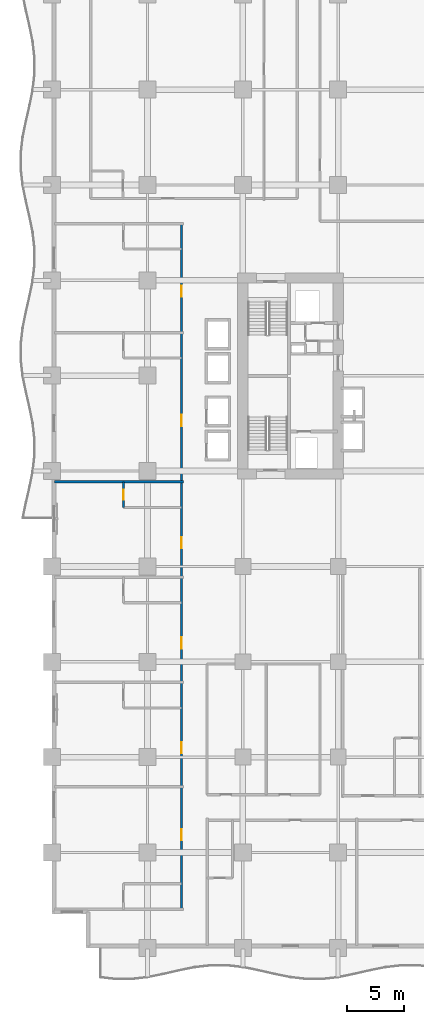
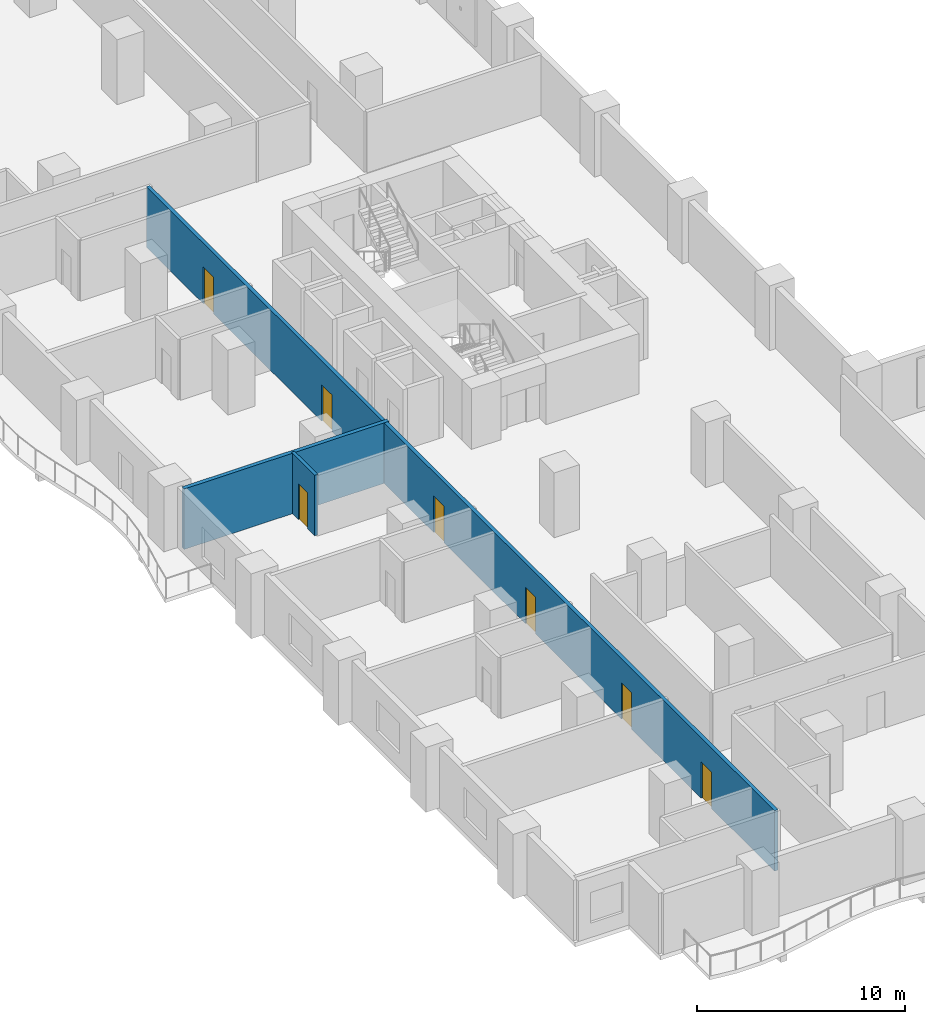
# One storey, part 8 of 22: 7 doors, 3 walls, 7 openings.
"""IFC4 building model written with IfcOpenShell, lengths in metres."""

from ifc_helpers import new_model, si_unit, direction, frame, frame_2d, origin, place, context, subcontext, project, spatial, rectangle, extrude, material, layer, layer_set, type_object, element, fill, save


model = new_model("IFC4")

# Units and contexts
model_context = context("Model", 3, precision=1e-05, world=origin(), true_north=direction((0.0, 1.0)))
body_context = subcontext(model_context, "Body", "Model", "MODEL_VIEW")
ifc_project = project(units=[si_unit("LENGTHUNIT", "METRE"), si_unit("AREAUNIT", "SQUARE_METRE"), si_unit("VOLUMEUNIT", "CUBIC_METRE"), si_unit("PLANEANGLEUNIT", "RADIAN"), si_unit("MASSUNIT", "GRAM", prefix="KILO")], contexts=[model_context])

# Site, building, storey
site_placement = place(None, origin())
site = spatial("IfcSite", under=ifc_project, at=site_placement, CompositionType="ELEMENT")
building_placement = place(site_placement, origin())
building = spatial("IfcBuilding", under=site, at=building_placement, Name="Koriwani Terraces Tower", CompositionType="ELEMENT")
storey_placement = place(building_placement, frame((0.0, 0.0, 51.0)))
storey = spatial("IfcBuildingStorey", under=building, at=storey_placement, Name="L11", CompositionType="ELEMENT", Elevation=51.0)

# Wall, openings, doors
ifc_material_1 = material(Name="Autoclaved Cellular Concrete Blockwork", Category="masonry")
ifc_layer_1 = layer(ifc_material_1, 0.199951171875, Name="Autoclaved Cellular Concrete Blockwork")
ifc_layer_set_1 = layer_set([ifc_layer_1], Name="Autoclaved Cellular Concrete Blockwork")
wall_type_1 = type_object("IfcWallType", Name="WALL_CORRIDOR_200", PredefinedType="PARTITIONING", material=ifc_layer_set_1)
wall_1_placement = place(storey_placement, frame((11.39990234375, 3.39990234375, 0.0), z_axis=(0.0, 0.0, 1.0), x_axis=(0.0, 1.0, 0.0)))
wall_1 = element("IfcWall", 1, at=wall_1_placement, inside=storey, type_object=wall_type_1, Name="L11 Interior Wall WCOR-L11-NW-0", PredefinedType="PARTITIONING", context=body_context, shape_type="SweptSolid", body=[
    extrude(rectangle(XDim=60.400146484375, YDim=0.199951171875, at=frame_2d((30.2001953125, 0.0))), origin(), (0.0, 0.0, 1.0), 3.550048828125),
])
opening_1_placement = place(wall_1_placement, frame((6.06494140625, 0.0, 0.0)))
opening_1 = element("IfcOpeningElement", 2, at=opening_1_placement, cuts=wall_1, Name="Opening D-05", PredefinedType="OPENING", context=body_context, shape_type="SweptSolid", body=[
    extrude(rectangle(XDim=1.0, YDim=2.14990234375, at=frame_2d((0.5, 1.074951171875))), frame((0.0, 0.10986328125, 0.0), z_axis=(0.0, -1.0, 0.0), x_axis=(1.0, 0.0, 0.0)), (0.0, 0.0, 1.0), 0.219970703125),
])
opening_2_placement = place(wall_1_placement, frame((13.735107421875, 0.0, 0.0)))
opening_2 = element("IfcOpeningElement", 3, at=opening_2_placement, cuts=wall_1, Name="Opening D-05", PredefinedType="OPENING", context=body_context, shape_type="SweptSolid", body=[
    extrude(rectangle(XDim=1.0, YDim=2.14990234375, at=frame_2d((0.5, 1.074951171875))), frame((0.0, 0.10986328125, 0.0), z_axis=(0.0, -1.0, 0.0), x_axis=(1.0, 0.0, 0.0)), (0.0, 0.0, 1.0), 0.219970703125),
])
opening_3_placement = place(wall_1_placement, frame((22.9599609375, 0.0, 0.0)))
opening_3 = element("IfcOpeningElement", 4, at=opening_3_placement, cuts=wall_1, Name="Opening D-05", PredefinedType="OPENING", context=body_context, shape_type="SweptSolid", body=[
    extrude(rectangle(XDim=1.0, YDim=2.14990234375, at=frame_2d((0.5, 1.074951171875))), frame((0.0, 0.10986328125, 0.0), z_axis=(0.0, -1.0, 0.0), x_axis=(1.0, 0.0, 0.0)), (0.0, 0.0, 1.0), 0.219970703125),
])
opening_4_placement = place(wall_1_placement, frame((31.784912109375, 0.0, 0.0)))
opening_4 = element("IfcOpeningElement", 5, at=opening_4_placement, cuts=wall_1, Name="Opening D-05", PredefinedType="OPENING", context=body_context, shape_type="SweptSolid", body=[
    extrude(rectangle(XDim=1.0, YDim=2.14990234375, at=frame_2d((0.5, 1.074951171875))), frame((0.0, 0.10986328125, 0.0), z_axis=(0.0, -1.0, 0.0), x_axis=(1.0, 0.0, 0.0)), (0.0, 0.0, 1.0), 0.219970703125),
])
opening_5_placement = place(wall_1_placement, frame((42.56005859375, 0.0, 0.0)))
opening_5 = element("IfcOpeningElement", 6, at=opening_5_placement, cuts=wall_1, Name="Opening D-05", PredefinedType="OPENING", context=body_context, shape_type="SweptSolid", body=[
    extrude(rectangle(XDim=1.0, YDim=2.14990234375, at=frame_2d((0.5, 1.074951171875))), frame((0.0, 0.10986328125, 0.0), z_axis=(0.0, -1.0, 0.0), x_axis=(1.0, 0.0, 0.0)), (0.0, 0.0, 1.0), 0.219970703125),
])
opening_6_placement = place(wall_1_placement, frame((53.93505859375, 0.0, 0.0)))
opening_6 = element("IfcOpeningElement", 7, at=opening_6_placement, cuts=wall_1, Name="Opening D-05", PredefinedType="OPENING", context=body_context, shape_type="SweptSolid", body=[
    extrude(rectangle(XDim=1.0, YDim=2.14990234375, at=frame_2d((0.5, 1.074951171875))), frame((0.0, 0.10986328125, 0.0), z_axis=(0.0, -1.0, 0.0), x_axis=(1.0, 0.0, 0.0)), (0.0, 0.0, 1.0), 0.219970703125),
])
ifc_material_2 = material(Name="Architectural Oak Fire Door", Category="wood")
door_type_1 = type_object("IfcDoorType", Name="DOOR_SUITE_ENTRY_1000X2150", OperationType="NOTDEFINED", PredefinedType="DOOR", material=ifc_material_2)
door_1_placement = place(opening_1_placement, origin())
door_1 = element("IfcDoor", 8, at=door_1_placement, inside=storey, type_object=door_type_1, Name="Luxury Hotel Suite 11NW1 Entrance Door", OperationType="SINGLE_SWING_LEFT", OverallHeight=2.14990234375, OverallWidth=1.0, PredefinedType="DOOR", context=body_context, shape_type="SweptSolid", body=[
    extrude(rectangle(XDim=1.0, YDim=2.14990234375, at=frame_2d((0.5, 1.074951171875))), frame((0.0, 0.02490234375, 0.0), z_axis=(0.0, -1.0, 0.0), x_axis=(1.0, 0.0, 0.0)), (0.0, 0.0, 1.0), 0.050048828125),
])
fill(opening_1, door_1)
door_2_placement = place(opening_2_placement, origin())
door_2 = element("IfcDoor", 9, at=door_2_placement, inside=storey, type_object=door_type_1, Name="Luxury Hotel Suite 11NW2 Entrance Door", OperationType="SINGLE_SWING_LEFT", OverallHeight=2.14990234375, OverallWidth=1.0, PredefinedType="DOOR", context=body_context, shape_type="SweptSolid", body=[
    extrude(rectangle(XDim=1.0, YDim=2.14990234375, at=frame_2d((0.5, 1.074951171875))), frame((0.0, 0.02490234375, 0.0), z_axis=(0.0, -1.0, 0.0), x_axis=(1.0, 0.0, 0.0)), (0.0, 0.0, 1.0), 0.050048828125),
])
fill(opening_2, door_2)
door_3_placement = place(opening_3_placement, origin())
door_3 = element("IfcDoor", 10, at=door_3_placement, inside=storey, type_object=door_type_1, Name="Luxury Hotel Suite 11NW3 Entrance Door", OperationType="SINGLE_SWING_LEFT", OverallHeight=2.14990234375, OverallWidth=1.0, PredefinedType="DOOR", context=body_context, shape_type="SweptSolid", body=[
    extrude(rectangle(XDim=1.0, YDim=2.14990234375, at=frame_2d((0.5, 1.074951171875))), frame((0.0, 0.02490234375, 0.0), z_axis=(0.0, -1.0, 0.0), x_axis=(1.0, 0.0, 0.0)), (0.0, 0.0, 1.0), 0.050048828125),
])
fill(opening_3, door_3)
door_4_placement = place(opening_4_placement, origin())
door_4 = element("IfcDoor", 11, at=door_4_placement, inside=storey, type_object=door_type_1, Name="Luxury Hotel Suite 11NW4 Entrance Door", OperationType="SINGLE_SWING_LEFT", OverallHeight=2.14990234375, OverallWidth=1.0, PredefinedType="DOOR", context=body_context, shape_type="SweptSolid", body=[
    extrude(rectangle(XDim=1.0, YDim=2.14990234375, at=frame_2d((0.5, 1.074951171875))), frame((0.0, 0.02490234375, 0.0), z_axis=(0.0, -1.0, 0.0), x_axis=(1.0, 0.0, 0.0)), (0.0, 0.0, 1.0), 0.050048828125),
])
fill(opening_4, door_4)
door_5_placement = place(opening_5_placement, origin())
door_5 = element("IfcDoor", 12, at=door_5_placement, inside=storey, type_object=door_type_1, Name="Luxury Hotel Suite 11NW5 Entrance Door", OperationType="SINGLE_SWING_LEFT", OverallHeight=2.14990234375, OverallWidth=1.0, PredefinedType="DOOR", context=body_context, shape_type="SweptSolid", body=[
    extrude(rectangle(XDim=1.0, YDim=2.14990234375, at=frame_2d((0.5, 1.074951171875))), frame((0.0, 0.02490234375, 0.0), z_axis=(0.0, -1.0, 0.0), x_axis=(1.0, 0.0, 0.0)), (0.0, 0.0, 1.0), 0.050048828125),
])
fill(opening_5, door_5)
door_6_placement = place(opening_6_placement, origin())
door_6 = element("IfcDoor", 13, at=door_6_placement, inside=storey, type_object=door_type_1, Name="Luxury Hotel Suite 11NW6 Entrance Door", OperationType="SINGLE_SWING_LEFT", OverallHeight=2.14990234375, OverallWidth=1.0, PredefinedType="DOOR", context=body_context, shape_type="SweptSolid", body=[
    extrude(rectangle(XDim=1.0, YDim=2.14990234375, at=frame_2d((0.5, 1.074951171875))), frame((0.0, 0.02490234375, 0.0), z_axis=(0.0, -1.0, 0.0), x_axis=(1.0, 0.0, 0.0)), (0.0, 0.0, 1.0), 0.050048828125),
])
fill(opening_6, door_6)

# Wall
ifc_layer_2 = layer(ifc_material_1, 0.219970703125, Name="Autoclaved Cellular Concrete Blockwork")
ifc_layer_set_2 = layer_set([ifc_layer_2], Name="Autoclaved Cellular Concrete Blockwork")
wall_type_2 = type_object("IfcWallType", Name="WALL_DEMISING_220", PredefinedType="PARTITIONING", material=ifc_layer_set_2)
wall_2_placement = place(storey_placement, frame((0.199951171875, 41.050048828125, 0.0), z_axis=(0.0, 0.0, 1.0), x_axis=(1.0, 0.0, 0.0)))
element("IfcWall", 14, at=wall_2_placement, inside=storey, type_object=wall_type_2, Name="L11 Interior Wall WDEM-L11-NW-4", PredefinedType="PARTITIONING", context=body_context, shape_type="SweptSolid", body=[
    extrude(rectangle(XDim=11.380126953125, YDim=0.219970703125, at=frame_2d((5.68994140625, 0.0))), origin(), (0.0, 0.0, 1.0), 3.550048828125),
])

# Wall, opening, door
ifc_material_3 = material(Name="Fire-Rated Acoustic Gypsum Partition", Category="masonry")
ifc_layer_3 = layer(ifc_material_3, 0.179931640625, Name="Fire-Rated Acoustic Gypsum Partition")
ifc_layer_set_3 = layer_set([ifc_layer_3], Name="Fire-Rated Acoustic Gypsum Partition")
wall_type_3 = type_object("IfcWallType", Name="WALL_PLUMBING_180", PredefinedType="PLUMBINGWALL", material=ifc_layer_set_3)
wall_3_placement = place(storey_placement, frame((6.300048828125, 38.800048828125, 0.0), z_axis=(0.0, 0.0, 1.0), x_axis=(0.0, 1.0, 0.0)))
wall_3 = element("IfcWall", 15, at=wall_3_placement, inside=storey, type_object=wall_type_3, Name="L11 Interior Wall WBTH1-L11-NW-3", PredefinedType="PLUMBINGWALL", context=body_context, shape_type="SweptSolid", body=[
    extrude(rectangle(XDim=2.25, YDim=0.179931640625, at=frame_2d((1.125, 0.0))), origin(), (0.0, 0.0, 1.0), 3.550048828125),
])
opening_7_placement = place(wall_3_placement, frame((0.675048828125, 0.0, 0.0)))
opening_7 = element("IfcOpeningElement", 16, at=opening_7_placement, cuts=wall_3, Name="Opening D-07", PredefinedType="OPENING", context=body_context, shape_type="SweptSolid", body=[
    extrude(rectangle(XDim=0.89990234375, YDim=2.10009765625, at=frame_2d((0.449951171875, 1.050048828125))), frame((0.0, 0.10009765625, 0.0), z_axis=(0.0, -1.0, 0.0), x_axis=(1.0, 0.0, 0.0)), (0.0, 0.0, 1.0), 0.199951171875),
])
door_type_2 = type_object("IfcDoorType", Name="DOOR_BATH_INT_900X2100", OperationType="NOTDEFINED", PredefinedType="DOOR", material=ifc_material_2)
door_7_placement = place(opening_7_placement, origin())
door_7 = element("IfcDoor", 17, at=door_7_placement, inside=storey, type_object=door_type_2, Name="En-Suite Bathroom 11NW4 Door", OperationType="SINGLE_SWING_RIGHT", OverallHeight=2.10009765625, OverallWidth=0.89990234375, PredefinedType="DOOR", context=body_context, shape_type="SweptSolid", body=[
    extrude(rectangle(XDim=0.89990234375, YDim=2.10009765625, at=frame_2d((0.449951171875, 1.050048828125))), frame((0.0, 0.02490234375, 0.0), z_axis=(0.0, -1.0, 0.0), x_axis=(1.0, 0.0, 0.0)), (0.0, 0.0, 1.0), 0.050048828125),
])
fill(opening_7, door_7)

save(model, "model.ifc")
